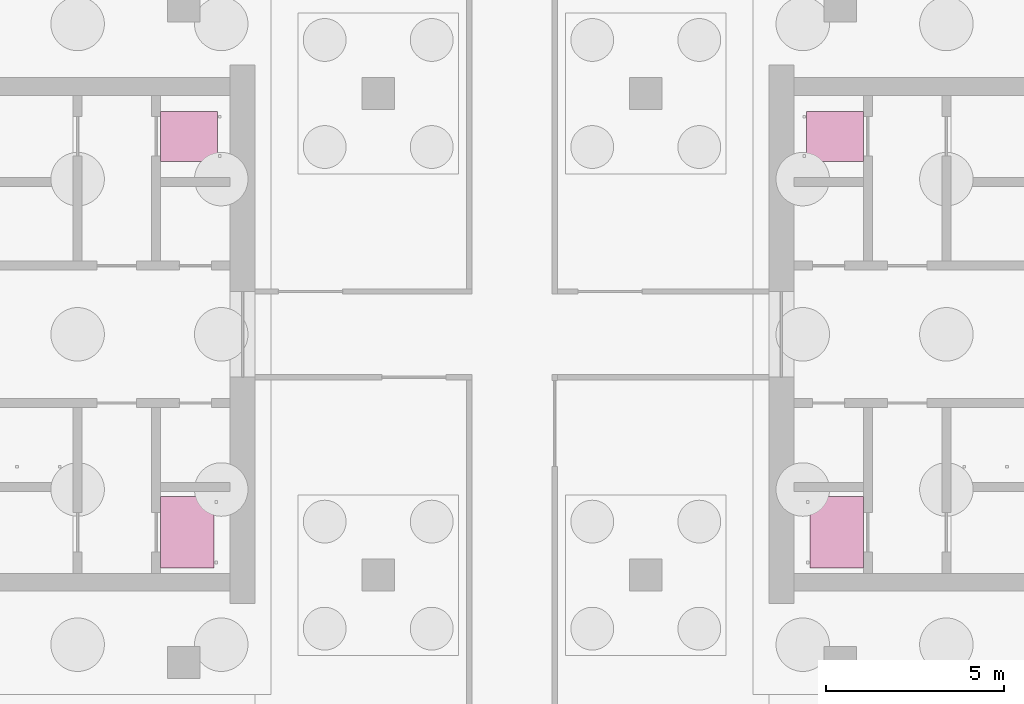
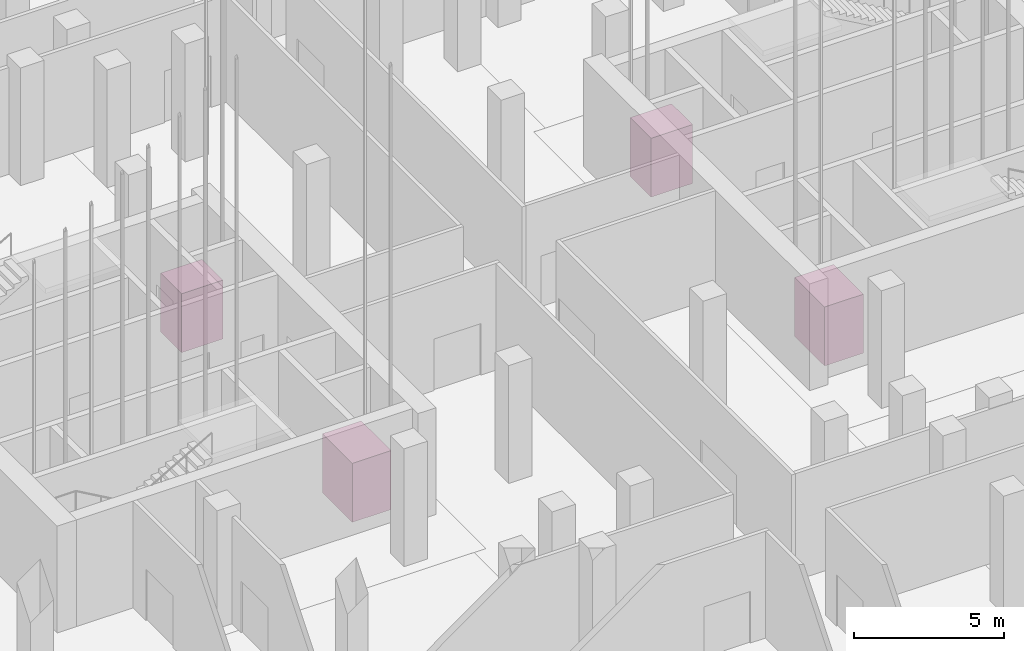
# One storey, part 54 of 54: 4 transport elements.
"""IFC4 building model written with IfcOpenShell, lengths in metres."""

from ifc_helpers import new_model, si_unit, direction, frame, origin, origin_2d, place, context, subcontext, project, spatial, rectangle, extrude, material, type_object, element, save


model = new_model("IFC4")

# Units and contexts
model_context = context("Model", 3, precision=1e-05, world=origin(), true_north=direction((0.0, 1.0)))
body_context = subcontext(model_context, "Body", "Model", "MODEL_VIEW")
ifc_project = project(units=[si_unit("LENGTHUNIT", "METRE"), si_unit("AREAUNIT", "SQUARE_METRE"), si_unit("VOLUMEUNIT", "CUBIC_METRE"), si_unit("PLANEANGLEUNIT", "RADIAN"), si_unit("MASSUNIT", "GRAM", prefix="KILO")], contexts=[model_context])

# Site, building, storey
site_placement = place(None, origin())
site = spatial("IfcSite", under=ifc_project, at=site_placement, CompositionType="ELEMENT")
building_placement = place(site_placement, origin())
building = spatial("IfcBuilding", under=site, at=building_placement, Name="Fustian Cross Tower", CompositionType="ELEMENT")
storey_placement = place(building_placement, frame((0.0, 0.0, -4.800048828125)))
storey = spatial("IfcBuildingStorey", under=building, at=storey_placement, Name="B1", CompositionType="ELEMENT", Elevation=-4.800048828125)

# Transport elements
ifc_material_1 = material(Name="Steel S355", Category="steel")
transport_element_type_1 = type_object("IfcTransportElementType", Name="FIREFIGHTING LIFT 1000 KG", PredefinedType="ELEVATOR", material=ifc_material_1)
for number, where, z_axis, x_axis, name in (
    (1, (9.050048828125, 5.550048828125, 0.0), (0.0, 0.0, 1.0), (1.0, 0.0, 0.0), "Lift FL1"),
    (2, (-9.050048828125, 5.550048828125, 0.0), (0.0, 0.0, 1.0), (1.0, 0.0, 0.0), "Lift FL1W"),
):
    element("IfcTransportElement", number, at=place(storey_placement, frame(where, z_axis=z_axis, x_axis=x_axis)), inside=storey, type_object=transport_element_type_1, Name=name, PredefinedType="ELEVATOR", context=body_context, shape_type="SweptSolid", body=[
        extrude(rectangle(XDim=1.60009765625, YDim=1.39990234375, at=origin_2d()), origin(), (0.0, 0.0, 1.0), 2.39990234375),
    ])
ifc_material_2 = material(Name="Steel S355", Category="steel")
transport_element_type_2 = type_object("IfcTransportElementType", Name="GOODS LIFT 1600 KG", PredefinedType="ELEVATOR", material=ifc_material_2)
for number, where, z_axis, x_axis, name in (
    (3, (9.10009765625, -5.550048828125, 0.0), (0.0, 0.0, 1.0), (1.0, 0.0, 0.0), "Lift SV1"),
    (4, (-9.10009765625, -5.550048828125, 0.0), (0.0, 0.0, 1.0), (1.0, 0.0, 0.0), "Lift SV1W"),
):
    element("IfcTransportElement", number, at=place(storey_placement, frame(where, z_axis=z_axis, x_axis=x_axis)), inside=storey, type_object=transport_element_type_2, Name=name, PredefinedType="ELEVATOR", context=body_context, shape_type="SweptSolid", body=[
        extrude(rectangle(XDim=1.5, YDim=2.0, at=origin_2d()), origin(), (0.0, 0.0, 1.0), 2.39990234375),
    ])

save(model, "model.ifc")
